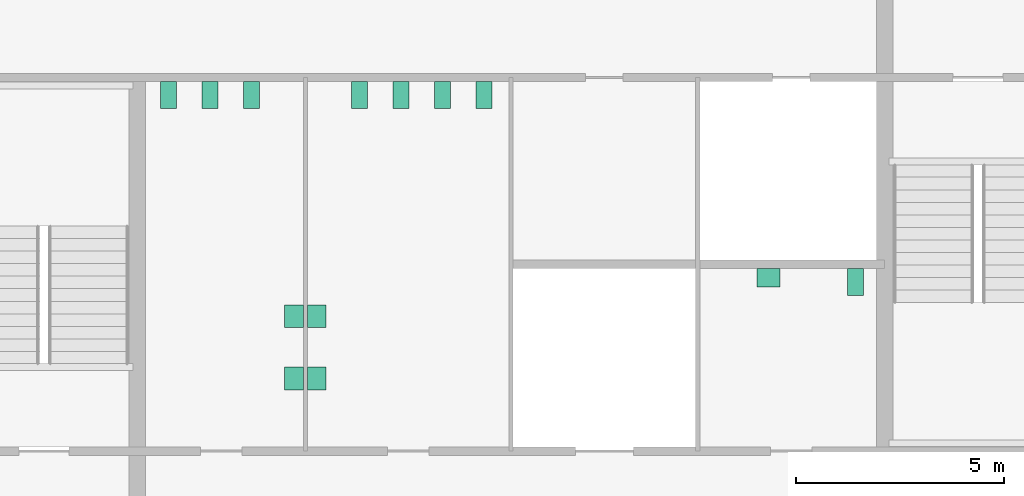
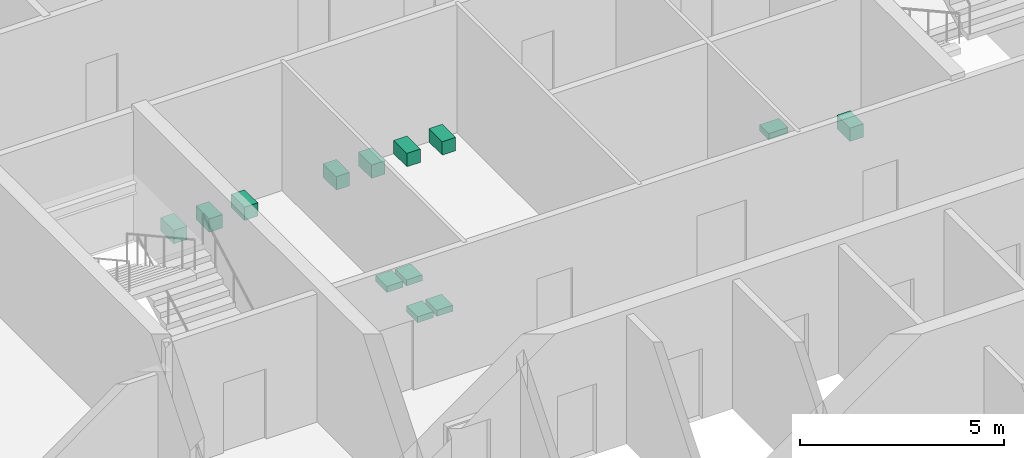
# One storey, part 14 of 14: 13 sanitary terminals.
"""IFC4 building model written with IfcOpenShell, lengths in metres."""

import ifcopenshell
import ifcopenshell.guid

model = None  # the IFC model being written
_history = None  # IfcOwnerHistory: only IFC2X3 demands one
_inside = {}  # id of a spatial element -> (the spatial element, [elements in it])
_under = {}  # id of a project, library or spatial element -> (it, [spatial elements below it])
_declared = {}  # id of a project -> (the project, [libraries it declares])
_typed = {}  # id of a type object -> (the type object, [elements of that type])
_made_of = {}  # id of a material, layer set ... -> (it, [elements and type objects made of it])


def new_model(schema):
    """Start an empty IFC model of exactly this schema.

    Asked for "IFC4X3", IfcOpenShell would pick the latest addendum, in which some entities
    have other attributes; the version numbers below select the first issue.
    IFC2X3 requires an IfcOwnerHistory on every rooted entity: one is made here for all.
    """
    global model, _history
    if schema == "IFC4X3":
        model = ifcopenshell.file(schema_version=(4, 3, 0, 0))
    else:
        model = ifcopenshell.file(schema=schema)
    _inside.clear()
    _under.clear()
    _declared.clear()
    _typed.clear()
    _made_of.clear()
    _history = None
    if model.schema == "IFC2X3":
        org = make("IfcOrganization", Name="unknown")
        user = make(
            "IfcPersonAndOrganization",
            ThePerson=make("IfcPerson", FamilyName="unknown"),
            TheOrganization=org,
        )
        app = make(
            "IfcApplication",
            ApplicationDeveloper=org,
            Version="unknown",
            ApplicationFullName="unknown",
            ApplicationIdentifier="unknown",
        )
        _history = make(
            "IfcOwnerHistory",
            OwningUser=user,
            OwningApplication=app,
            ChangeAction="ADDED",
            CreationDate=0,
        )
    return model


def make(cls, **values):
    """One entity of the class cls with the attributes given. An attribute that is None is left unset."""
    return model.create_entity(
        cls, **{name: value for name, value in values.items() if value is not None}
    )


def rooted(cls, **values):
    """An entity with a GlobalId (a new one), such as an element, a storey or a relation."""
    return make(cls, GlobalId=ifcopenshell.guid.new(), OwnerHistory=_history, **values)


def si_unit(unit_type, name, prefix=None):
    """IfcSIUnit, for example si_unit("LENGTHUNIT", "METRE", prefix="MILLI")."""
    return make("IfcSIUnit", UnitType=unit_type, Prefix=prefix, Name=name)


def assignment(units):
    """IfcUnitAssignment: the units of a project."""
    return None if units is None else make("IfcUnitAssignment", Units=units)


def point(xyz):
    """IfcCartesianPoint."""
    return None if xyz is None else make("IfcCartesianPoint", Coordinates=xyz)


def direction(xyz):
    """IfcDirection."""
    return None if xyz is None else make("IfcDirection", DirectionRatios=xyz)


def frame(location, z_axis=None, x_axis=None):
    """IfcAxis2Placement3D, a coordinate frame: its origin and axes. An axis left out is left unset."""
    return make(
        "IfcAxis2Placement3D",
        Location=point(location),
        Axis=direction(z_axis),
        RefDirection=direction(x_axis),
    )


def frame_2d(location, x_axis=None):
    """IfcAxis2Placement2D, a coordinate frame in the plane: its origin and x axis."""
    return make(
        "IfcAxis2Placement2D", Location=point(location), RefDirection=direction(x_axis)
    )


def origin():
    """The frame at (0, 0, 0) with its axes left unset."""
    return frame((0.0, 0.0, 0.0))


def origin_2d():
    """The frame at (0, 0) in the plane with its x axis left unset."""
    return frame_2d((0.0, 0.0))


def place(relative_to, where):
    """IfcLocalPlacement: puts the frame where relative to a parent placement (None: the world)."""
    return make(
        "IfcLocalPlacement", PlacementRelTo=relative_to, RelativePlacement=where
    )


def context(
    kind, dimensions, precision=None, world=None, true_north=None, identifier=None
):
    """IfcGeometricRepresentationContext, for example the 3D "Model" context."""
    return make(
        "IfcGeometricRepresentationContext",
        ContextIdentifier=identifier,
        ContextType=kind,
        CoordinateSpaceDimension=dimensions,
        Precision=precision,
        WorldCoordinateSystem=world,
        TrueNorth=true_north,
    )


def subcontext(parent, identifier, kind, view, scale=None):
    """IfcGeometricRepresentationSubContext, for example "Body" below "Model"."""
    return make(
        "IfcGeometricRepresentationSubContext",
        ContextIdentifier=identifier,
        ContextType=kind,
        ParentContext=parent,
        TargetScale=scale,
        TargetView=view,
    )


def project(units=None, contexts=None):
    """IfcProject with its units and contexts."""
    return rooted(
        "IfcProject",
        Name="project",
        RepresentationContexts=contexts,
        UnitsInContext=assignment(units),
    )


def spatial(cls, under=None, at=None, **own):
    """A site, building, storey or space (cls), placed at a placement, below another one or the project."""
    s = rooted(cls, ObjectPlacement=at, **own)
    if under is not None:
        _under.setdefault(under.id(), (under, []))[1].append(s)
    return s


def profile(cls, at=None, kind="AREA", **sizes):
    """A parametric profile (cls). Its sizes go by their IFC names, for example OverallWidth=200.0."""
    return make(cls, ProfileType=kind, Position=at, **sizes)


def rectangle(**sizes):
    """IfcRectangleProfileDef."""
    return profile("IfcRectangleProfileDef", **sizes)


def extrude(swept, where, along, depth):
    """IfcExtrudedAreaSolid: the profile swept, set in the frame where, extruded along a direction by depth."""
    return make(
        "IfcExtrudedAreaSolid",
        SweptArea=swept,
        Position=where,
        ExtrudedDirection=direction(along),
        Depth=depth,
    )


def shape(context_of_items, identifier, shape_type, items):
    """IfcShapeRepresentation: the items that make up one representation, for example the "Body"."""
    return make(
        "IfcShapeRepresentation",
        ContextOfItems=context_of_items,
        RepresentationIdentifier=identifier,
        RepresentationType=shape_type,
        Items=items,
    )


def material(Name=None, Category=None):
    """IfcMaterial."""
    return make("IfcMaterial", Name=Name, Category=Category)


def made_of(thing, what):
    """Note that an element or type object is made of a material, layer set ...; save() writes the relation."""
    if what is not None:
        _made_of.setdefault(what.id(), (what, []))[1].append(thing)
    return thing


def type_object(cls, material=None, **own):
    """A type object (cls), such as IfcWallType, which elements share."""
    return made_of(rooted(cls, **own), material)


def element(
    cls,
    number,
    at=None,
    inside=None,
    cuts=None,
    type_object=None,
    material=None,
    context=None,
    identifier="Body",
    shape_type=None,
    held_by="IfcProductDefinitionShape",
    body=None,
    shapes=None,
    **own,
):
    """One element of the class cls, such as IfcWall. Its Tag is "e" and its number.

    at: its placement. inside: the storey or other place that contains it. cuts: it is an
    opening in that element (IfcRelVoidsElement). A single representation is given by context,
    identifier, shape_type and body (its items); several are given by shapes. held_by: the class
    of the entity that holds the representations. save() writes the other relations.
    """
    e = rooted(cls, Tag="e%d" % number, ObjectPlacement=at, **own)
    if body is not None:
        shapes = [shape(context, identifier, shape_type, body)]
    if shapes is not None:
        e.Representation = make(held_by, Representations=shapes)
    if inside is not None:
        _inside.setdefault(inside.id(), (inside, []))[1].append(e)
    if cuts is not None:
        rooted(
            "IfcRelVoidsElement", RelatingBuildingElement=cuts, RelatedOpeningElement=e
        )
    if type_object is not None:
        _typed.setdefault(type_object.id(), (type_object, []))[1].append(e)
    return made_of(e, material)


def aggregate(whole, parts):
    """IfcRelAggregates: a whole, such as a stair, and the parts it consists of."""
    return rooted("IfcRelAggregates", RelatingObject=whole, RelatedObjects=parts)


def save(model, path):
    """Write the relations noted so far, then the file.

    IfcRelAggregates (storeys below a building ...), IfcRelContainedInSpatialStructure (elements
    in a storey), IfcRelDefinesByType, IfcRelAssociatesMaterial and IfcRelDeclares: one each for
    every whole, place, type object, material and project.
    """
    for whole, parts in _under.values():
        aggregate(whole, parts)
    for where, things in _inside.values():
        rooted(
            "IfcRelContainedInSpatialStructure",
            RelatedElements=things,
            RelatingStructure=where,
        )
    for kind, things in _typed.values():
        rooted("IfcRelDefinesByType", RelatedObjects=things, RelatingType=kind)
    for what, things in _made_of.values():
        rooted("IfcRelAssociatesMaterial", RelatedObjects=things, RelatingMaterial=what)
    for by, libraries in _declared.values():
        rooted("IfcRelDeclares", RelatingContext=by, RelatedDefinitions=libraries)
    model.write(path)


model = new_model("IFC4")

# Units and contexts
model_context = context("Model", 3, precision=1e-05, world=origin(), true_north=direction((0.0, 1.0)))
body_context = subcontext(model_context, "Body", "Model", "MODEL_VIEW")
ifc_project = project(units=[si_unit("LENGTHUNIT", "METRE"), si_unit("AREAUNIT", "SQUARE_METRE"), si_unit("VOLUMEUNIT", "CUBIC_METRE"), si_unit("PLANEANGLEUNIT", "RADIAN"), si_unit("MASSUNIT", "GRAM", prefix="KILO")], contexts=[model_context])

# Site, building, storey
site_placement = place(None, origin())
site = spatial("IfcSite", under=ifc_project, at=site_placement, CompositionType="ELEMENT")
building_placement = place(site_placement, origin())
building = spatial("IfcBuilding", under=site, at=building_placement, Name="Corais Broadcast Tower", CompositionType="ELEMENT")
storey_placement = place(building_placement, frame((0.0, 0.0, 278.60009765625)))
storey = spatial("IfcBuildingStorey", under=building, at=storey_placement, Name="L65", CompositionType="ELEMENT", Elevation=278.60009765625)

# Sanitary terminals
ifc_material_1 = material(Name="Vitreous china", Category="ceramic")
sanitary_terminal_type_1 = type_object("IfcSanitaryTerminalType", Name="WC pan 380x650", PredefinedType="TOILETPAN", material=ifc_material_1)
for number, where, z_axis, x_axis, name in (
    (1, (18.75, 31.074951171875, 0.0), (0.0, 0.0, 1.0), (1.0, 0.0, 0.0), "SW1 WC pan, male toilets L65"),
    (2, (19.75, 31.074951171875, 0.0), (0.0, 0.0, 1.0), (1.0, 0.0, 0.0), "SW1 WC pan, male toilets L65"),
    (3, (20.75, 31.074951171875, 0.0), (0.0, 0.0, 1.0), (1.0, 0.0, 0.0), "SW1 WC pan, male toilets L65"),
    (4, (23.35009765625, 31.074951171875, 0.0), (0.0, 0.0, 1.0), (1.0, 0.0, 0.0), "SW1 WC pan, female toilets L65"),
    (5, (24.35009765625, 31.074951171875, 0.0), (0.0, 0.0, 1.0), (1.0, 0.0, 0.0), "SW1 WC pan, female toilets L65"),
    (6, (25.35009765625, 31.074951171875, 0.0), (0.0, 0.0, 1.0), (1.0, 0.0, 0.0), "SW1 WC pan, female toilets L65"),
    (7, (26.35009765625, 31.074951171875, 0.0), (0.0, 0.0, 1.0), (1.0, 0.0, 0.0), "SW1 WC pan, female toilets L65"),
    (8, (35.300048828125, 26.574951171875, 0.0), (0.0, 0.0, 1.0), (1.0, 0.0, 0.0), "SW1 WC pan, accessible WC L65"),
):
    element("IfcSanitaryTerminal", number, at=place(storey_placement, frame(where, z_axis=z_axis, x_axis=x_axis)), inside=storey, type_object=sanitary_terminal_type_1, Name=name, PredefinedType="TOILETPAN", context=body_context, shape_type="SweptSolid", body=[
        extrude(rectangle(XDim=0.3798828125, YDim=0.64990234375, at=origin_2d()), origin(), (0.0, 0.0, 1.0), 0.39990234375),
    ])
ifc_material_2 = material(Name="Vitreous china", Category="ceramic")
sanitary_terminal_type_2 = type_object("IfcSanitaryTerminalType", Name="Wash basin 550x450", PredefinedType="WASHHANDBASIN", material=ifc_material_2)
for number, where, z_axis, x_axis, name in (
    (9, (21.77490234375, 24.25, 0.69970703125), (0.0, 0.0, 1.0), (1.0, 0.0, 0.0), "WB1 wash basin, male toilets L65"),
    (10, (21.77490234375, 25.75, 0.69970703125), (0.0, 0.0, 1.0), (1.0, 0.0, 0.0), "WB1 wash basin, male toilets L65"),
    (11, (22.324951171875, 24.25, 0.69970703125), (0.0, 0.0, 1.0), (1.0, 0.0, 0.0), "WB1 wash basin, female toilets L65"),
    (12, (22.324951171875, 25.75, 0.69970703125), (0.0, 0.0, 1.0), (1.0, 0.0, 0.0), "WB1 wash basin, female toilets L65"),
):
    element("IfcSanitaryTerminal", number, at=place(storey_placement, frame(where, z_axis=z_axis, x_axis=x_axis)), inside=storey, type_object=sanitary_terminal_type_2, Name=name, PredefinedType="WASHHANDBASIN", context=body_context, shape_type="SweptSolid", body=[
        extrude(rectangle(XDim=0.449951171875, YDim=0.550048828125, at=origin_2d()), origin(), (0.0, 0.0, 1.0), 0.179931640625),
    ])
sanitary_terminal_placement = place(storey_placement, frame((33.199951171875, 26.675048828125, 0.69970703125), z_axis=(0.0, 0.0, 1.0), x_axis=(1.0, 0.0, 0.0)))
element("IfcSanitaryTerminal", 13, at=sanitary_terminal_placement, inside=storey, type_object=sanitary_terminal_type_2, Name="WB1 wash basin, accessible WC L65", PredefinedType="WASHHANDBASIN", context=body_context, shape_type="SweptSolid", body=[
    extrude(rectangle(XDim=0.550048828125, YDim=0.449951171875, at=origin_2d()), origin(), (0.0, 0.0, 1.0), 0.179931640625),
])

save(model, "model.ifc")
